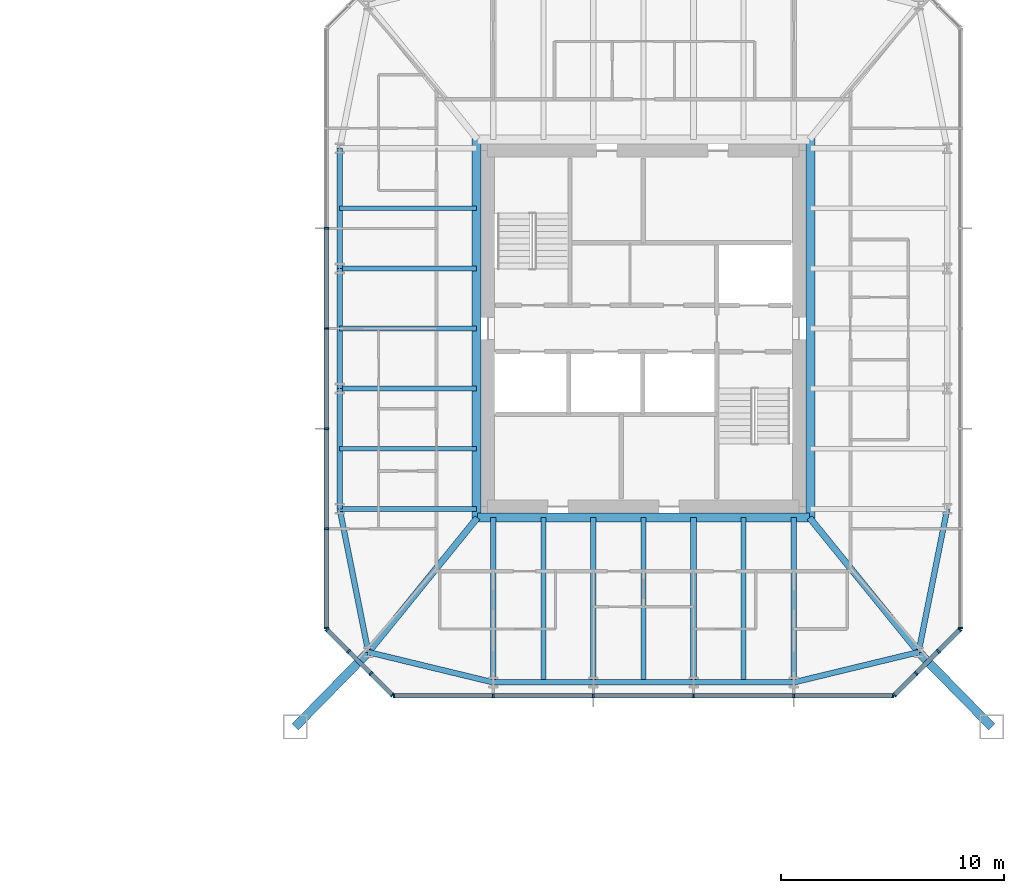
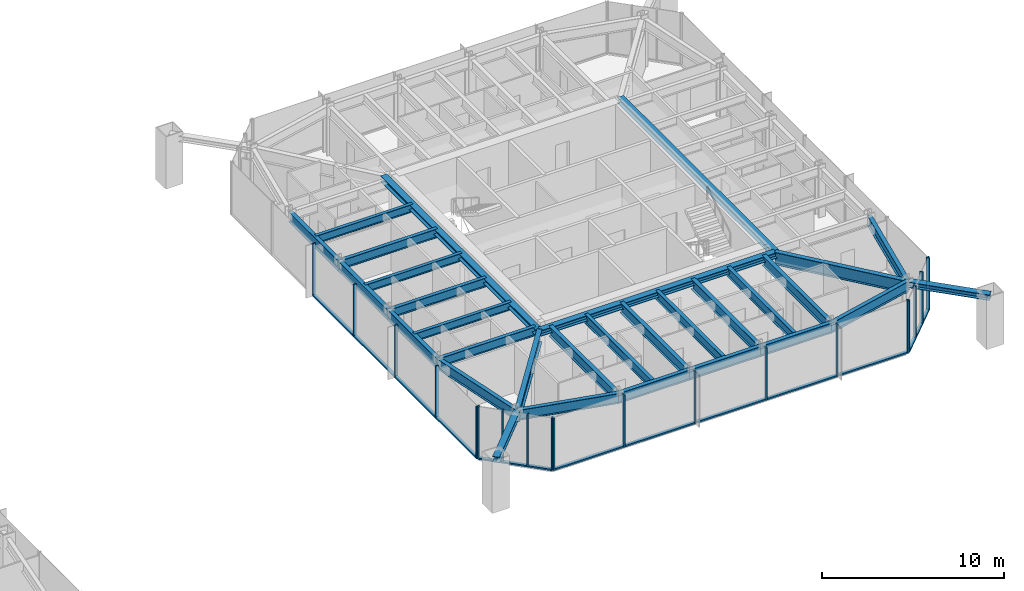
# One storey, part 8 of 25: 37 members, 28 beams, 5 elements without a shape of their own.
"""IFC4 building model written with IfcOpenShell, lengths in metres."""

import ifcopenshell
import ifcopenshell.guid

model = None  # the IFC model being written
_history = None  # IfcOwnerHistory: only IFC2X3 demands one
_inside = {}  # id of a spatial element -> (the spatial element, [elements in it])
_under = {}  # id of a project, library or spatial element -> (it, [spatial elements below it])
_declared = {}  # id of a project -> (the project, [libraries it declares])
_typed = {}  # id of a type object -> (the type object, [elements of that type])
_made_of = {}  # id of a material, layer set ... -> (it, [elements and type objects made of it])


def new_model(schema):
    """Start an empty IFC model of exactly this schema.

    Asked for "IFC4X3", IfcOpenShell would pick the latest addendum, in which some entities
    have other attributes; the version numbers below select the first issue.
    IFC2X3 requires an IfcOwnerHistory on every rooted entity: one is made here for all.
    """
    global model, _history
    if schema == "IFC4X3":
        model = ifcopenshell.file(schema_version=(4, 3, 0, 0))
    else:
        model = ifcopenshell.file(schema=schema)
    _inside.clear()
    _under.clear()
    _declared.clear()
    _typed.clear()
    _made_of.clear()
    _history = None
    if model.schema == "IFC2X3":
        org = make("IfcOrganization", Name="unknown")
        user = make(
            "IfcPersonAndOrganization",
            ThePerson=make("IfcPerson", FamilyName="unknown"),
            TheOrganization=org,
        )
        app = make(
            "IfcApplication",
            ApplicationDeveloper=org,
            Version="unknown",
            ApplicationFullName="unknown",
            ApplicationIdentifier="unknown",
        )
        _history = make(
            "IfcOwnerHistory",
            OwningUser=user,
            OwningApplication=app,
            ChangeAction="ADDED",
            CreationDate=0,
        )
    return model


def make(cls, **values):
    """One entity of the class cls with the attributes given. An attribute that is None is left unset."""
    return model.create_entity(
        cls, **{name: value for name, value in values.items() if value is not None}
    )


def rooted(cls, **values):
    """An entity with a GlobalId (a new one), such as an element, a storey or a relation."""
    return make(cls, GlobalId=ifcopenshell.guid.new(), OwnerHistory=_history, **values)


def si_unit(unit_type, name, prefix=None):
    """IfcSIUnit, for example si_unit("LENGTHUNIT", "METRE", prefix="MILLI")."""
    return make("IfcSIUnit", UnitType=unit_type, Prefix=prefix, Name=name)


def assignment(units):
    """IfcUnitAssignment: the units of a project."""
    return None if units is None else make("IfcUnitAssignment", Units=units)


def point(xyz):
    """IfcCartesianPoint."""
    return None if xyz is None else make("IfcCartesianPoint", Coordinates=xyz)


def direction(xyz):
    """IfcDirection."""
    return None if xyz is None else make("IfcDirection", DirectionRatios=xyz)


def frame(location, z_axis=None, x_axis=None):
    """IfcAxis2Placement3D, a coordinate frame: its origin and axes. An axis left out is left unset."""
    return make(
        "IfcAxis2Placement3D",
        Location=point(location),
        Axis=direction(z_axis),
        RefDirection=direction(x_axis),
    )


def frame_2d(location, x_axis=None):
    """IfcAxis2Placement2D, a coordinate frame in the plane: its origin and x axis."""
    return make(
        "IfcAxis2Placement2D", Location=point(location), RefDirection=direction(x_axis)
    )


def origin():
    """The frame at (0, 0, 0) with its axes left unset."""
    return frame((0.0, 0.0, 0.0))


def origin_2d():
    """The frame at (0, 0) in the plane with its x axis left unset."""
    return frame_2d((0.0, 0.0))


def place(relative_to, where):
    """IfcLocalPlacement: puts the frame where relative to a parent placement (None: the world)."""
    return make(
        "IfcLocalPlacement", PlacementRelTo=relative_to, RelativePlacement=where
    )


def context(
    kind, dimensions, precision=None, world=None, true_north=None, identifier=None
):
    """IfcGeometricRepresentationContext, for example the 3D "Model" context."""
    return make(
        "IfcGeometricRepresentationContext",
        ContextIdentifier=identifier,
        ContextType=kind,
        CoordinateSpaceDimension=dimensions,
        Precision=precision,
        WorldCoordinateSystem=world,
        TrueNorth=true_north,
    )


def subcontext(parent, identifier, kind, view, scale=None):
    """IfcGeometricRepresentationSubContext, for example "Body" below "Model"."""
    return make(
        "IfcGeometricRepresentationSubContext",
        ContextIdentifier=identifier,
        ContextType=kind,
        ParentContext=parent,
        TargetScale=scale,
        TargetView=view,
    )


def project(units=None, contexts=None):
    """IfcProject with its units and contexts."""
    return rooted(
        "IfcProject",
        Name="project",
        RepresentationContexts=contexts,
        UnitsInContext=assignment(units),
    )


def spatial(cls, under=None, at=None, **own):
    """A site, building, storey or space (cls), placed at a placement, below another one or the project."""
    s = rooted(cls, ObjectPlacement=at, **own)
    if under is not None:
        _under.setdefault(under.id(), (under, []))[1].append(s)
    return s


def profile(cls, at=None, kind="AREA", **sizes):
    """A parametric profile (cls). Its sizes go by their IFC names, for example OverallWidth=200.0."""
    return make(cls, ProfileType=kind, Position=at, **sizes)


def rectangle(**sizes):
    """IfcRectangleProfileDef."""
    return profile("IfcRectangleProfileDef", **sizes)


def i_section(**sizes):
    """IfcIShapeProfileDef."""
    return profile("IfcIShapeProfileDef", **sizes)


def extrude(swept, where, along, depth):
    """IfcExtrudedAreaSolid: the profile swept, set in the frame where, extruded along a direction by depth."""
    return make(
        "IfcExtrudedAreaSolid",
        SweptArea=swept,
        Position=where,
        ExtrudedDirection=direction(along),
        Depth=depth,
    )


def shape(context_of_items, identifier, shape_type, items):
    """IfcShapeRepresentation: the items that make up one representation, for example the "Body"."""
    return make(
        "IfcShapeRepresentation",
        ContextOfItems=context_of_items,
        RepresentationIdentifier=identifier,
        RepresentationType=shape_type,
        Items=items,
    )


def material(Name=None, Category=None):
    """IfcMaterial."""
    return make("IfcMaterial", Name=Name, Category=Category)


def material_profile(
    of_material, cross_section, Name=None, Category=None, Priority=None
):
    """IfcMaterialProfile: a cross section and its material."""
    return make(
        "IfcMaterialProfile",
        Name=Name,
        Material=of_material,
        Profile=cross_section,
        Priority=Priority,
        Category=Category,
    )


def profile_set(profiles, Name=None, composite=None):
    """IfcMaterialProfileSet."""
    return make(
        "IfcMaterialProfileSet",
        Name=Name,
        MaterialProfiles=profiles,
        CompositeProfile=composite,
    )


def made_of(thing, what):
    """Note that an element or type object is made of a material, layer set ...; save() writes the relation."""
    if what is not None:
        _made_of.setdefault(what.id(), (what, []))[1].append(thing)
    return thing


def type_object(cls, material=None, **own):
    """A type object (cls), such as IfcWallType, which elements share."""
    return made_of(rooted(cls, **own), material)


def element(
    cls,
    number,
    at=None,
    inside=None,
    cuts=None,
    type_object=None,
    material=None,
    context=None,
    identifier="Body",
    shape_type=None,
    held_by="IfcProductDefinitionShape",
    body=None,
    shapes=None,
    **own,
):
    """One element of the class cls, such as IfcWall. Its Tag is "e" and its number.

    at: its placement. inside: the storey or other place that contains it. cuts: it is an
    opening in that element (IfcRelVoidsElement). A single representation is given by context,
    identifier, shape_type and body (its items); several are given by shapes. held_by: the class
    of the entity that holds the representations. save() writes the other relations.
    """
    e = rooted(cls, Tag="e%d" % number, ObjectPlacement=at, **own)
    if body is not None:
        shapes = [shape(context, identifier, shape_type, body)]
    if shapes is not None:
        e.Representation = make(held_by, Representations=shapes)
    if inside is not None:
        _inside.setdefault(inside.id(), (inside, []))[1].append(e)
    if cuts is not None:
        rooted(
            "IfcRelVoidsElement", RelatingBuildingElement=cuts, RelatedOpeningElement=e
        )
    if type_object is not None:
        _typed.setdefault(type_object.id(), (type_object, []))[1].append(e)
    return made_of(e, material)


def aggregate(whole, parts):
    """IfcRelAggregates: a whole, such as a stair, and the parts it consists of."""
    return rooted("IfcRelAggregates", RelatingObject=whole, RelatedObjects=parts)


def save(model, path):
    """Write the relations noted so far, then the file.

    IfcRelAggregates (storeys below a building ...), IfcRelContainedInSpatialStructure (elements
    in a storey), IfcRelDefinesByType, IfcRelAssociatesMaterial and IfcRelDeclares: one each for
    every whole, place, type object, material and project.
    """
    for whole, parts in _under.values():
        aggregate(whole, parts)
    for where, things in _inside.values():
        rooted(
            "IfcRelContainedInSpatialStructure",
            RelatedElements=things,
            RelatingStructure=where,
        )
    for kind, things in _typed.values():
        rooted("IfcRelDefinesByType", RelatedObjects=things, RelatingType=kind)
    for what, things in _made_of.values():
        rooted("IfcRelAssociatesMaterial", RelatedObjects=things, RelatingMaterial=what)
    for by, libraries in _declared.values():
        rooted("IfcRelDeclares", RelatingContext=by, RelatedDefinitions=libraries)
    model.write(path)


model = new_model("IFC4")

# Units and contexts
model_context = context("Model", 3, precision=1e-05, world=origin(), true_north=direction((0.0, 1.0)))
body_context = subcontext(model_context, "Body", "Model", "MODEL_VIEW")
ifc_project = project(units=[si_unit("LENGTHUNIT", "METRE"), si_unit("AREAUNIT", "SQUARE_METRE"), si_unit("VOLUMEUNIT", "CUBIC_METRE"), si_unit("PLANEANGLEUNIT", "RADIAN"), si_unit("MASSUNIT", "GRAM", prefix="KILO")], contexts=[model_context])

# Site, building, storey
site_placement = place(None, origin())
site = spatial("IfcSite", under=ifc_project, at=site_placement, CompositionType="ELEMENT")
building_placement = place(site_placement, origin())
building = spatial("IfcBuilding", under=site, at=building_placement, Name="Iwan Alto Co-Living Towers", CompositionType="ELEMENT")
storey_placement = place(building_placement, frame((0.0, 0.0, 84.0)))
storey = spatial("IfcBuildingStorey", under=building, at=storey_placement, Name="L22", CompositionType="ELEMENT", Elevation=84.0)

# Curtain wall, members
ifc_material_1 = material(Name="Bronze aluminium unitised frame", Category="aluminium")
curtain_wall_type_1 = type_object("IfcCurtainWallType", Name="CURTAIN WALL CW-C", PredefinedType="NOTDEFINED", material=ifc_material_1)
curtain_wall_1_placement = place(storey_placement, origin())
curtain_wall_1 = element("IfcCurtainWall", 1, at=curtain_wall_1_placement, inside=storey, type_object=curtain_wall_type_1, Name="T2 curtain wall S L22", PredefinedType="NOTDEFINED")
ifc_material_2 = material(Name="Aluminium 6063-T6 bronze anodised", Category="aluminium")
ifc_material_profile_1 = material_profile(ifc_material_2, rectangle(XDim=0.199951171875, YDim=0.080078125, at=origin_2d()), Name="AL 80X200")
ifc_profile_set_1 = profile_set([ifc_material_profile_1], Name="Aluminium 6063-T6 bronze anodised")
member_type_1 = type_object("IfcMemberType", Name="CW-C MULLION 80X200", PredefinedType="MULLION", material=ifc_profile_set_1)
member_1_placement = place(storey_placement, frame((51.7900390625, -16.5, 0.0), z_axis=(0.0, 0.0, 1.0), x_axis=(0.0, 1.0, 0.0)))
member_1 = element("IfcMember", 2, at=member_1_placement, type_object=member_type_1, Name="CW-C mullion 1", PredefinedType="MULLION", context=body_context, shape_type="SweptSolid", body=[
    extrude(rectangle(XDim=0.199951171875, YDim=0.080078125, at=origin_2d()), origin(), (0.0, 0.0, 1.0), 3.5),
])
member_2_placement = place(storey_placement, frame((56.25, -16.5, 0.0), z_axis=(0.0, 0.0, 1.0), x_axis=(0.0, 1.0, 0.0)))
member_2 = element("IfcMember", 3, at=member_2_placement, type_object=member_type_1, Name="CW-C mullion 2", PredefinedType="MULLION", context=body_context, shape_type="SweptSolid", body=[
    extrude(rectangle(XDim=0.199951171875, YDim=0.080078125, at=origin_2d()), origin(), (0.0, 0.0, 1.0), 3.5),
])
member_3_placement = place(storey_placement, frame((60.75, -16.5, 0.0), z_axis=(0.0, 0.0, 1.0), x_axis=(0.0, 1.0, 0.0)))
member_3 = element("IfcMember", 4, at=member_3_placement, type_object=member_type_1, Name="CW-C mullion 3", PredefinedType="MULLION", context=body_context, shape_type="SweptSolid", body=[
    extrude(rectangle(XDim=0.199951171875, YDim=0.080078125, at=origin_2d()), origin(), (0.0, 0.0, 1.0), 3.5),
])
member_4_placement = place(storey_placement, frame((65.25, -16.5, 0.0), z_axis=(0.0, 0.0, 1.0), x_axis=(0.0, 1.0, 0.0)))
member_4 = element("IfcMember", 5, at=member_4_placement, type_object=member_type_1, Name="CW-C mullion 4", PredefinedType="MULLION", context=body_context, shape_type="SweptSolid", body=[
    extrude(rectangle(XDim=0.199951171875, YDim=0.080078125, at=origin_2d()), origin(), (0.0, 0.0, 1.0), 3.5),
])
member_5_placement = place(storey_placement, frame((69.75, -16.5, 0.0), z_axis=(0.0, 0.0, 1.0), x_axis=(0.0, 1.0, 0.0)))
member_5 = element("IfcMember", 6, at=member_5_placement, type_object=member_type_1, Name="CW-C mullion 5", PredefinedType="MULLION", context=body_context, shape_type="SweptSolid", body=[
    extrude(rectangle(XDim=0.199951171875, YDim=0.080078125, at=origin_2d()), origin(), (0.0, 0.0, 1.0), 3.5),
])
member_6_placement = place(storey_placement, frame((74.2099609375, -16.5, 0.0), z_axis=(0.0, 0.0, 1.0), x_axis=(0.0, 1.0, 0.0)))
member_6 = element("IfcMember", 7, at=member_6_placement, type_object=member_type_1, Name="CW-C mullion 6", PredefinedType="MULLION", context=body_context, shape_type="SweptSolid", body=[
    extrude(rectangle(XDim=0.199951171875, YDim=0.080078125, at=origin_2d()), origin(), (0.0, 0.0, 1.0), 3.5),
])

# Curtain wall, member
curtain_wall_2_placement = place(storey_placement, origin())
curtain_wall_2 = element("IfcCurtainWall", 8, at=curtain_wall_2_placement, inside=storey, type_object=curtain_wall_type_1, Name="T2 curtain wall E L22", PredefinedType="NOTDEFINED")
member_7_placement = place(storey_placement, frame((77.25, -13.4599609375, 0.0), z_axis=(0.0, 0.0, 1.0), x_axis=(-1.0, 0.0, 0.0)))
member_7 = element("IfcMember", 9, at=member_7_placement, type_object=member_type_1, Name="CW-C mullion 1", PredefinedType="MULLION", context=body_context, shape_type="SweptSolid", body=[
    extrude(rectangle(XDim=0.199951171875, YDim=0.080078125, at=origin_2d()), origin(), (0.0, 0.0, 1.0), 3.5),
])
aggregate(curtain_wall_2, [member_7])

# Curtain wall, members
curtain_wall_3_placement = place(storey_placement, origin())
curtain_wall_3 = element("IfcCurtainWall", 10, at=curtain_wall_3_placement, inside=storey, type_object=curtain_wall_type_1, Name="T2 curtain wall W L22", PredefinedType="NOTDEFINED")
member_8_placement = place(storey_placement, frame((48.75, 4.5, 0.0), z_axis=(0.0, 0.0, 1.0), x_axis=(1.0, 0.0, 0.0)))
member_8 = element("IfcMember", 11, at=member_8_placement, type_object=member_type_1, Name="CW-C mullion 3", PredefinedType="MULLION", context=body_context, shape_type="SweptSolid", body=[
    extrude(rectangle(XDim=0.199951171875, YDim=0.080078125, at=origin_2d()), origin(), (0.0, 0.0, 1.0), 3.5),
])
member_9_placement = place(storey_placement, frame((48.75, 0.0, 0.0), z_axis=(0.0, 0.0, 1.0), x_axis=(1.0, 0.0, 0.0)))
member_9 = element("IfcMember", 12, at=member_9_placement, type_object=member_type_1, Name="CW-C mullion 4", PredefinedType="MULLION", context=body_context, shape_type="SweptSolid", body=[
    extrude(rectangle(XDim=0.199951171875, YDim=0.080078125, at=origin_2d()), origin(), (0.0, 0.0, 1.0), 3.5),
])
member_10_placement = place(storey_placement, frame((48.75, -4.5, 0.0), z_axis=(0.0, 0.0, 1.0), x_axis=(1.0, 0.0, 0.0)))
member_10 = element("IfcMember", 13, at=member_10_placement, type_object=member_type_1, Name="CW-C mullion 5", PredefinedType="MULLION", context=body_context, shape_type="SweptSolid", body=[
    extrude(rectangle(XDim=0.199951171875, YDim=0.080078125, at=origin_2d()), origin(), (0.0, 0.0, 1.0), 3.5),
])
member_11_placement = place(storey_placement, frame((48.75, -9.0, 0.0), z_axis=(0.0, 0.0, 1.0), x_axis=(1.0, 0.0, 0.0)))
member_11 = element("IfcMember", 14, at=member_11_placement, type_object=member_type_1, Name="CW-C mullion 6", PredefinedType="MULLION", context=body_context, shape_type="SweptSolid", body=[
    extrude(rectangle(XDim=0.199951171875, YDim=0.080078125, at=origin_2d()), origin(), (0.0, 0.0, 1.0), 3.5),
])
member_12_placement = place(storey_placement, frame((48.75, -13.4599609375, 0.0), z_axis=(0.0, 0.0, 1.0), x_axis=(1.0, 0.0, 0.0)))
member_12 = element("IfcMember", 15, at=member_12_placement, type_object=member_type_1, Name="CW-C mullion 7", PredefinedType="MULLION", context=body_context, shape_type="SweptSolid", body=[
    extrude(rectangle(XDim=0.199951171875, YDim=0.080078125, at=origin_2d()), origin(), (0.0, 0.0, 1.0), 3.5),
])

# Member
ifc_material_3 = material(Name="Aluminium 6063-T6 bronze anodised", Category="aluminium")
ifc_material_profile_2 = material_profile(ifc_material_3, rectangle(XDim=0.199951171875, YDim=0.10009765625, at=origin_2d()), Name="AL 200X100")
ifc_profile_set_2 = profile_set([ifc_material_profile_2], Name="Aluminium 6063-T6 bronze anodised")
member_type_2 = type_object("IfcMemberType", Name="CW-C TRANSOM 200X100", PredefinedType="USERDEFINED", material=ifc_profile_set_2)
member_13_placement = place(storey_placement, frame((51.830078125, -16.5, 0.050048828125), z_axis=(1.0, 0.0, 0.0), x_axis=(0.0, 1.0, 0.0)))
member_13 = element("IfcMember", 16, at=member_13_placement, type_object=member_type_2, Name="CW-C transom 1.1", ObjectType="TRANSOM", PredefinedType="USERDEFINED", context=body_context, shape_type="SweptSolid", body=[
    extrude(rectangle(XDim=0.199951171875, YDim=0.10009765625, at=origin_2d()), origin(), (0.0, 0.0, 1.0), 4.3798828125),
])

member_14_placement = place(storey_placement, frame((56.2900390625, -16.5, 0.050048828125), z_axis=(1.0, 0.0, 0.0), x_axis=(0.0, 1.0, 0.0)))
member_14 = element("IfcMember", 17, at=member_14_placement, type_object=member_type_2, Name="CW-C transom 2.1", ObjectType="TRANSOM", PredefinedType="USERDEFINED", context=body_context, shape_type="SweptSolid", body=[
    extrude(rectangle(XDim=0.199951171875, YDim=0.10009765625, at=origin_2d()), origin(), (0.0, 0.0, 1.0), 4.419921875),
])

member_15_placement = place(storey_placement, frame((60.7900390625, -16.5, 0.050048828125), z_axis=(1.0, 0.0, 0.0), x_axis=(0.0, 1.0, 0.0)))
member_15 = element("IfcMember", 18, at=member_15_placement, type_object=member_type_2, Name="CW-C transom 3.1", ObjectType="TRANSOM", PredefinedType="USERDEFINED", context=body_context, shape_type="SweptSolid", body=[
    extrude(rectangle(XDim=0.199951171875, YDim=0.10009765625, at=origin_2d()), origin(), (0.0, 0.0, 1.0), 4.419921875),
])

member_16_placement = place(storey_placement, frame((65.2900390625, -16.5, 0.050048828125), z_axis=(1.0, 0.0, 0.0), x_axis=(0.0, 1.0, 0.0)))
member_16 = element("IfcMember", 19, at=member_16_placement, type_object=member_type_2, Name="CW-C transom 4.1", ObjectType="TRANSOM", PredefinedType="USERDEFINED", context=body_context, shape_type="SweptSolid", body=[
    extrude(rectangle(XDim=0.199951171875, YDim=0.10009765625, at=origin_2d()), origin(), (0.0, 0.0, 1.0), 4.419921875),
])

member_17_placement = place(storey_placement, frame((69.7900390625, -16.5, 0.050048828125), z_axis=(1.0, 0.0, 0.0), x_axis=(0.0, 1.0, 0.0)))
member_17 = element("IfcMember", 20, at=member_17_placement, type_object=member_type_2, Name="CW-C transom 5.1", ObjectType="TRANSOM", PredefinedType="USERDEFINED", context=body_context, shape_type="SweptSolid", body=[
    extrude(rectangle(XDim=0.199951171875, YDim=0.10009765625, at=origin_2d()), origin(), (0.0, 0.0, 1.0), 4.3798828125),
])

aggregate(curtain_wall_1, [member_1, member_2, member_3, member_4, member_5, member_6, member_13, member_14, member_15, member_16, member_17])

member_18_placement = place(storey_placement, frame((48.75, 4.4599609375, 0.050048828125), z_axis=(0.0, -1.0, 0.0), x_axis=(1.0, 0.0, 0.0)))
member_18 = element("IfcMember", 21, at=member_18_placement, type_object=member_type_2, Name="CW-C transom 3.1", ObjectType="TRANSOM", PredefinedType="USERDEFINED", context=body_context, shape_type="SweptSolid", body=[
    extrude(rectangle(XDim=0.199951171875, YDim=0.10009765625, at=origin_2d()), origin(), (0.0, 0.0, 1.0), 4.419921875),
])

member_19_placement = place(storey_placement, frame((48.75, -0.0400390625, 0.050048828125), z_axis=(0.0, -1.0, 0.0), x_axis=(1.0, 0.0, 0.0)))
member_19 = element("IfcMember", 22, at=member_19_placement, type_object=member_type_2, Name="CW-C transom 4.1", ObjectType="TRANSOM", PredefinedType="USERDEFINED", context=body_context, shape_type="SweptSolid", body=[
    extrude(rectangle(XDim=0.199951171875, YDim=0.10009765625, at=origin_2d()), origin(), (0.0, 0.0, 1.0), 4.419921875),
])

member_20_placement = place(storey_placement, frame((48.75, -4.5400390625, 0.050048828125), z_axis=(0.0, -1.0, 0.0), x_axis=(1.0, 0.0, 0.0)))
member_20 = element("IfcMember", 23, at=member_20_placement, type_object=member_type_2, Name="CW-C transom 5.1", ObjectType="TRANSOM", PredefinedType="USERDEFINED", context=body_context, shape_type="SweptSolid", body=[
    extrude(rectangle(XDim=0.199951171875, YDim=0.10009765625, at=origin_2d()), origin(), (0.0, 0.0, 1.0), 4.419921875),
])

member_21_placement = place(storey_placement, frame((48.75, -9.0400390625, 0.050048828125), z_axis=(0.0, -1.0, 0.0), x_axis=(1.0, 0.0, 0.0)))
member_21 = element("IfcMember", 24, at=member_21_placement, type_object=member_type_2, Name="CW-C transom 6.1", ObjectType="TRANSOM", PredefinedType="USERDEFINED", context=body_context, shape_type="SweptSolid", body=[
    extrude(rectangle(XDim=0.199951171875, YDim=0.10009765625, at=origin_2d()), origin(), (0.0, 0.0, 1.0), 4.3798828125),
])

aggregate(curtain_wall_3, [member_8, member_9, member_10, member_11, member_12, member_18, member_19, member_20, member_21])

# Curtain wall, members
ifc_material_4 = material(Name="Bronze aluminium unitised frame", Category="aluminium")
curtain_wall_type_2 = type_object("IfcCurtainWallType", Name="CURTAIN WALL CW-D", PredefinedType="NOTDEFINED", material=ifc_material_4)
curtain_wall_4_placement = place(storey_placement, origin())
curtain_wall_4 = element("IfcCurtainWall", 25, at=curtain_wall_4_placement, inside=storey, type_object=curtain_wall_type_2, Name="T2 chamfer curtain wall SE L22", PredefinedType="NOTDEFINED")
ifc_material_5 = material(Name="Aluminium 6063-T6 bronze anodised", Category="aluminium")
ifc_material_profile_3 = material_profile(ifc_material_5, rectangle(XDim=0.199951171875, YDim=0.080078125, at=origin_2d()), Name="AL 80X200")
ifc_profile_set_3 = profile_set([ifc_material_profile_3], Name="Aluminium 6063-T6 bronze anodised")
member_type_3 = type_object("IfcMemberType", Name="CW-D MULLION 80X200", PredefinedType="MULLION", material=ifc_profile_set_3)
member_22_placement = place(storey_placement, frame((74.2783203125, -16.4716796875, 0.0), z_axis=(0.0, 0.0, 1.0), x_axis=(-0.707106781187, 0.707106781187, 0.0)))
member_22 = element("IfcMember", 26, at=member_22_placement, type_object=member_type_3, Name="CW-D mullion 1", PredefinedType="MULLION", context=body_context, shape_type="SweptSolid", body=[
    extrude(rectangle(XDim=0.199951171875, YDim=0.080078125, at=origin_2d()), origin(), (0.0, 0.0, 1.0), 3.5),
])
member_23_placement = place(storey_placement, frame((75.25, -15.5, 0.0), z_axis=(0.0, 0.0, 1.0), x_axis=(-0.707106781187, 0.707106781187, 0.0)))
member_23 = element("IfcMember", 27, at=member_23_placement, type_object=member_type_3, Name="CW-D mullion 2", PredefinedType="MULLION", context=body_context, shape_type="SweptSolid", body=[
    extrude(rectangle(XDim=0.199951171875, YDim=0.080078125, at=origin_2d()), origin(), (0.0, 0.0, 1.0), 3.5),
])
member_24_placement = place(storey_placement, frame((76.25, -14.5, 0.0), z_axis=(0.0, 0.0, 1.0), x_axis=(-0.707106781187, 0.707106781187, 0.0)))
member_24 = element("IfcMember", 28, at=member_24_placement, type_object=member_type_3, Name="CW-D mullion 3", PredefinedType="MULLION", context=body_context, shape_type="SweptSolid", body=[
    extrude(rectangle(XDim=0.199951171875, YDim=0.080078125, at=origin_2d()), origin(), (0.0, 0.0, 1.0), 3.5),
])
member_25_placement = place(storey_placement, frame((77.2216796875, -13.5283203125, 0.0), z_axis=(0.0, 0.0, 1.0), x_axis=(-0.707106781187, 0.707106781187, 0.0)))
member_25 = element("IfcMember", 29, at=member_25_placement, type_object=member_type_3, Name="CW-D mullion 4", PredefinedType="MULLION", context=body_context, shape_type="SweptSolid", body=[
    extrude(rectangle(XDim=0.199951171875, YDim=0.080078125, at=origin_2d()), origin(), (0.0, 0.0, 1.0), 3.5),
])

curtain_wall_5_placement = place(storey_placement, origin())
curtain_wall_5 = element("IfcCurtainWall", 30, at=curtain_wall_5_placement, inside=storey, type_object=curtain_wall_type_2, Name="T2 chamfer curtain wall SW L22", PredefinedType="NOTDEFINED")
member_26_placement = place(storey_placement, frame((48.7783203125, -13.5283203125, 0.0), z_axis=(0.0, 0.0, 1.0), x_axis=(0.707106781187, 0.707106781187, 0.0)))
member_26 = element("IfcMember", 31, at=member_26_placement, type_object=member_type_3, Name="CW-D mullion 1", PredefinedType="MULLION", context=body_context, shape_type="SweptSolid", body=[
    extrude(rectangle(XDim=0.199951171875, YDim=0.080078125, at=origin_2d()), origin(), (0.0, 0.0, 1.0), 3.5),
])
member_27_placement = place(storey_placement, frame((49.75, -14.5, 0.0), z_axis=(0.0, 0.0, 1.0), x_axis=(0.707106781187, 0.707106781187, 0.0)))
member_27 = element("IfcMember", 32, at=member_27_placement, type_object=member_type_3, Name="CW-D mullion 2", PredefinedType="MULLION", context=body_context, shape_type="SweptSolid", body=[
    extrude(rectangle(XDim=0.199951171875, YDim=0.080078125, at=origin_2d()), origin(), (0.0, 0.0, 1.0), 3.5),
])
member_28_placement = place(storey_placement, frame((50.75, -15.5, 0.0), z_axis=(0.0, 0.0, 1.0), x_axis=(0.707106781187, 0.707106781187, 0.0)))
member_28 = element("IfcMember", 33, at=member_28_placement, type_object=member_type_3, Name="CW-D mullion 3", PredefinedType="MULLION", context=body_context, shape_type="SweptSolid", body=[
    extrude(rectangle(XDim=0.199951171875, YDim=0.080078125, at=origin_2d()), origin(), (0.0, 0.0, 1.0), 3.5),
])
member_29_placement = place(storey_placement, frame((51.7216796875, -16.4716796875, 0.0), z_axis=(0.0, 0.0, 1.0), x_axis=(0.707106781187, 0.707106781187, 0.0)))
member_29 = element("IfcMember", 34, at=member_29_placement, type_object=member_type_3, Name="CW-D mullion 4", PredefinedType="MULLION", context=body_context, shape_type="SweptSolid", body=[
    extrude(rectangle(XDim=0.199951171875, YDim=0.080078125, at=origin_2d()), origin(), (0.0, 0.0, 1.0), 3.5),
])

# Member
ifc_material_6 = material(Name="Aluminium 6063-T6 bronze anodised", Category="aluminium")
ifc_material_profile_4 = material_profile(ifc_material_6, rectangle(XDim=0.199951171875, YDim=0.10009765625, at=origin_2d()), Name="AL 200X100")
ifc_profile_set_4 = profile_set([ifc_material_profile_4], Name="Aluminium 6063-T6 bronze anodised")
member_type_4 = type_object("IfcMemberType", Name="CW-D TRANSOM 200X100", PredefinedType="USERDEFINED", material=ifc_profile_set_4)
member_30_placement = place(storey_placement, frame((74.306640625, -16.443359375, 0.050048828125), z_axis=(0.707106781187, 0.707106781187, 0.0), x_axis=(-0.707106781187, 0.707106781187, 0.0)))
member_30 = element("IfcMember", 35, at=member_30_placement, type_object=member_type_4, Name="CW-D transom 1.1", ObjectType="TRANSOM", PredefinedType="USERDEFINED", context=body_context, shape_type="SweptSolid", body=[
    extrude(rectangle(XDim=0.199951171875, YDim=0.10009765625, at=origin_2d()), origin(), (0.0, 0.0, 1.0), 1.2939453125),
])

member_31_placement = place(storey_placement, frame((75.2783203125, -15.4716796875, 0.050048828125), z_axis=(0.707106781187, 0.707106781187, 0.0), x_axis=(-0.707106781187, 0.707106781187, 0.0)))
member_31 = element("IfcMember", 36, at=member_31_placement, type_object=member_type_4, Name="CW-D transom 2.1", ObjectType="TRANSOM", PredefinedType="USERDEFINED", context=body_context, shape_type="SweptSolid", body=[
    extrude(rectangle(XDim=0.199951171875, YDim=0.10009765625, at=origin_2d()), origin(), (0.0, 0.0, 1.0), 1.334228515625),
])

member_32_placement = place(storey_placement, frame((76.2783203125, -14.4716796875, 0.050048828125), z_axis=(0.707106781187, 0.707106781187, 0.0), x_axis=(-0.707106781187, 0.707106781187, 0.0)))
member_32 = element("IfcMember", 37, at=member_32_placement, type_object=member_type_4, Name="CW-D transom 3.1", ObjectType="TRANSOM", PredefinedType="USERDEFINED", context=body_context, shape_type="SweptSolid", body=[
    extrude(rectangle(XDim=0.199951171875, YDim=0.10009765625, at=origin_2d()), origin(), (0.0, 0.0, 1.0), 1.2939453125),
])

aggregate(curtain_wall_4, [member_22, member_23, member_24, member_25, member_30, member_31, member_32])

member_33_placement = place(storey_placement, frame((48.806640625, -13.556640625, 0.050048828125), z_axis=(0.707106781187, -0.707106781187, 0.0), x_axis=(0.707106781187, 0.707106781187, 0.0)))
member_33 = element("IfcMember", 38, at=member_33_placement, type_object=member_type_4, Name="CW-D transom 1.1", ObjectType="TRANSOM", PredefinedType="USERDEFINED", context=body_context, shape_type="SweptSolid", body=[
    extrude(rectangle(XDim=0.199951171875, YDim=0.10009765625, at=origin_2d()), origin(), (0.0, 0.0, 1.0), 1.2939453125),
])

member_34_placement = place(storey_placement, frame((49.7783203125, -14.5283203125, 0.050048828125), z_axis=(0.707106781187, -0.707106781187, 0.0), x_axis=(0.707106781187, 0.707106781187, 0.0)))
member_34 = element("IfcMember", 39, at=member_34_placement, type_object=member_type_4, Name="CW-D transom 2.1", ObjectType="TRANSOM", PredefinedType="USERDEFINED", context=body_context, shape_type="SweptSolid", body=[
    extrude(rectangle(XDim=0.199951171875, YDim=0.10009765625, at=origin_2d()), origin(), (0.0, 0.0, 1.0), 1.334228515625),
])

member_35_placement = place(storey_placement, frame((50.7783203125, -15.5283203125, 0.050048828125), z_axis=(0.707106781187, -0.707106781187, 0.0), x_axis=(0.707106781187, 0.707106781187, 0.0)))
member_35 = element("IfcMember", 40, at=member_35_placement, type_object=member_type_4, Name="CW-D transom 3.1", ObjectType="TRANSOM", PredefinedType="USERDEFINED", context=body_context, shape_type="SweptSolid", body=[
    extrude(rectangle(XDim=0.199951171875, YDim=0.10009765625, at=origin_2d()), origin(), (0.0, 0.0, 1.0), 1.2939453125),
])

aggregate(curtain_wall_5, [member_26, member_27, member_28, member_29, member_33, member_34, member_35])

# Beams
ifc_material_7 = material(Name="Steel ASTM A992 Gr 50", Category="steel")
ifc_material_profile_5 = material_profile(ifc_material_7, i_section(OverallWidth=0.398681640625, OverallDepth=0.385986328125, WebThickness=0.02099609375, FlangeThickness=0.033203125, at=origin_2d()), Name="W14X176")
ifc_profile_set_5 = profile_set([ifc_material_profile_5], Name="Steel ASTM A992 Gr 50")
beam_type_1 = type_object("IfcBeamType", Name="T2 CORE LEDGER BEAM W14X176", PredefinedType="BEAM", material=ifc_profile_set_5)
beam_1_placement = place(storey_placement, frame((55.538330078125, -8.49951171875, 3.076904296875), z_axis=(1.0, 0.0, 0.0), x_axis=(0.0, 1.0, 0.0)))
element("IfcBeam", 41, at=beam_1_placement, inside=storey, type_object=beam_type_1, Name="T2 core ledger beam S L23", PredefinedType="BEAM", context=body_context, shape_type="SweptSolid", body=[
    extrude(i_section(OverallWidth=0.398681640625, OverallDepth=0.385986328125, WebThickness=0.02099609375, FlangeThickness=0.033203125, at=origin_2d()), origin(), (0.0, 0.0, 1.0), 14.92333984375),
])
for number, where, z_axis, x_axis, name in (
    (42, (70.49951171875, -8.5458984375, 3.076904296875), (0.0, 1.0, 0.0), (-1.0, 0.0, 0.0), "T2 core ledger beam E L23"),
    (43, (55.50048828125, 8.5458984375, 3.076904296875), (0.0, -1.0, 0.0), (1.0, 0.0, 0.0), "T2 core ledger beam W L23"),
):
    element("IfcBeam", number, at=place(storey_placement, frame(where, z_axis=z_axis, x_axis=x_axis)), inside=storey, type_object=beam_type_1, Name=name, PredefinedType="BEAM", context=body_context, shape_type="SweptSolid", body=[
        extrude(i_section(OverallWidth=0.398681640625, OverallDepth=0.385986328125, WebThickness=0.02099609375, FlangeThickness=0.033203125, at=origin_2d()), origin(), (0.0, 0.0, 1.0), 17.091796875),
    ])
ifc_material_8 = material(Name="Steel ASTM A992 Gr 50", Category="steel")
ifc_material_profile_6 = material_profile(ifc_material_8, i_section(OverallWidth=0.2919921875, OverallDepth=0.8408203125, WebThickness=0.0146484375, FlangeThickness=0.021728515625, at=origin_2d()), Name="W33X130")
ifc_profile_set_6 = profile_set([ifc_material_profile_6], Name="Steel ASTM A992 Gr 50")
beam_type_2 = type_object("IfcBeamType", Name="T2 CORNER GIRDER W33X130", PredefinedType="BEAM", material=ifc_profile_set_6)
for number, where, z_axis, x_axis, name in (
    (44, (50.638671875, -14.542724609375, 2.849609375), (0.629783024592, 0.776771100091, 0.0), (-0.776771100091, 0.629783024592, 0.0), "T2 corner girder CSW L23"),
    (45, (75.361328125, -14.542724609375, 2.849609375), (-0.629783024592, 0.776771100091, 0.0), (-0.776771100091, -0.629783024592, 0.0), "T2 corner girder CSE L23"),
):
    element("IfcBeam", number, at=place(storey_placement, frame(where, z_axis=z_axis, x_axis=x_axis)), inside=storey, type_object=beam_type_2, Name=name, PredefinedType="BEAM", context=body_context, shape_type="SweptSolid", body=[
        extrude(i_section(OverallWidth=0.2919921875, OverallDepth=0.8408203125, WebThickness=0.0146484375, FlangeThickness=0.021728515625, at=origin_2d()), origin(), (0.0, 0.0, 1.0), 7.780029296875),
    ])
ifc_material_9 = material(Name="Steel ASTM A992 Gr 50", Category="steel")
ifc_material_profile_7 = material_profile(ifc_material_9, i_section(OverallWidth=0.25390625, OverallDepth=0.683349609375, WebThickness=0.012451171875, FlangeThickness=0.018798828125, at=origin_2d()), Name="W27X94")
ifc_profile_set_7 = profile_set([ifc_material_profile_7], Name="Steel ASTM A992 Gr 50")
beam_type_3 = type_object("IfcBeamType", Name="T2 EDGE BEAM W27X94", PredefinedType="BEAM", material=ifc_profile_set_7)
beam_2_placement = place(storey_placement, frame((50.638671875, -14.542724609375, 2.928466796875), z_axis=(0.971974673138, -0.235085590323, 0.0), x_axis=(0.235085590323, 0.971974673138, 0.0)))
element("IfcBeam", 46, at=beam_2_placement, inside=storey, type_object=beam_type_3, Name="T2 edge beam CSW L23", PredefinedType="BEAM", context=body_context, shape_type="SweptSolid", body=[
    extrude(i_section(OverallWidth=0.25390625, OverallDepth=0.683349609375, WebThickness=0.012451171875, FlangeThickness=0.018798828125, at=origin_2d()), origin(), (0.0, 0.0, 1.0), 5.773193359375),
])
for number, where, z_axis, x_axis, name in (
    (47, (56.25, -15.89990234375, 2.928466796875), (1.0, 0.0, 0.0), (0.0, 1.0, 0.0), "T2 edge beam S1 L23"),
    (48, (60.75, -15.89990234375, 2.928466796875), (1.0, 0.0, 0.0), (0.0, 1.0, 0.0), "T2 edge beam S2 L23"),
    (49, (65.25, -15.89990234375, 2.928466796875), (1.0, 0.0, 0.0), (0.0, 1.0, 0.0), "T2 edge beam S3 L23"),
):
    element("IfcBeam", number, at=place(storey_placement, frame(where, z_axis=z_axis, x_axis=x_axis)), inside=storey, type_object=beam_type_3, Name=name, PredefinedType="BEAM", context=body_context, shape_type="SweptSolid", body=[
        extrude(i_section(OverallWidth=0.25390625, OverallDepth=0.683349609375, WebThickness=0.012451171875, FlangeThickness=0.018798828125, at=origin_2d()), origin(), (0.0, 0.0, 1.0), 4.5),
    ])
beam_3_placement = place(storey_placement, frame((69.75, -15.89990234375, 2.928466796875), z_axis=(0.971974673138, 0.235085590323, 0.0), x_axis=(-0.235085590323, 0.971974673138, 0.0)))
element("IfcBeam", 50, at=beam_3_placement, inside=storey, type_object=beam_type_3, Name="T2 edge beam S4 L23", PredefinedType="BEAM", context=body_context, shape_type="SweptSolid", body=[
    extrude(i_section(OverallWidth=0.25390625, OverallDepth=0.683349609375, WebThickness=0.012451171875, FlangeThickness=0.018798828125, at=origin_2d()), origin(), (0.0, 0.0, 1.0), 5.773193359375),
])
beam_4_placement = place(storey_placement, frame((75.361328125, -14.542724609375, 2.928466796875), z_axis=(0.196123281025, 0.980579246487, 0.0), x_axis=(-0.980579246487, 0.196123281025, 0.0)))
element("IfcBeam", 51, at=beam_4_placement, inside=storey, type_object=beam_type_3, Name="T2 edge beam CSE L23", PredefinedType="BEAM", context=body_context, shape_type="SweptSolid", body=[
    extrude(i_section(OverallWidth=0.25390625, OverallDepth=0.683349609375, WebThickness=0.012451171875, FlangeThickness=0.018798828125, at=origin_2d()), origin(), (0.0, 0.0, 1.0), 6.5703125),
])
beam_5_placement = place(storey_placement, frame((49.35009765625, 8.10009765625, 2.928466796875), z_axis=(0.0, -1.0, 0.0), x_axis=(1.0, 0.0, 0.0)))
element("IfcBeam", 52, at=beam_5_placement, inside=storey, type_object=beam_type_3, Name="T2 edge beam W1 L23", PredefinedType="BEAM", context=body_context, shape_type="SweptSolid", body=[
    extrude(i_section(OverallWidth=0.25390625, OverallDepth=0.683349609375, WebThickness=0.012451171875, FlangeThickness=0.018798828125, at=origin_2d()), origin(), (0.0, 0.0, 1.0), 5.400146484375),
])
beam_6_placement = place(storey_placement, frame((49.35009765625, 2.699951171875, 2.928466796875), z_axis=(0.0, -1.0, 0.0), x_axis=(1.0, 0.0, 0.0)))
element("IfcBeam", 53, at=beam_6_placement, inside=storey, type_object=beam_type_3, Name="T2 edge beam W2 L23", PredefinedType="BEAM", context=body_context, shape_type="SweptSolid", body=[
    extrude(i_section(OverallWidth=0.25390625, OverallDepth=0.683349609375, WebThickness=0.012451171875, FlangeThickness=0.018798828125, at=origin_2d()), origin(), (0.0, 0.0, 1.0), 5.39990234375),
])
beam_7_placement = place(storey_placement, frame((49.35009765625, -2.699951171875, 2.928466796875), z_axis=(0.0, -1.0, 0.0), x_axis=(1.0, 0.0, 0.0)))
element("IfcBeam", 54, at=beam_7_placement, inside=storey, type_object=beam_type_3, Name="T2 edge beam W3 L23", PredefinedType="BEAM", context=body_context, shape_type="SweptSolid", body=[
    extrude(i_section(OverallWidth=0.25390625, OverallDepth=0.683349609375, WebThickness=0.012451171875, FlangeThickness=0.018798828125, at=origin_2d()), origin(), (0.0, 0.0, 1.0), 5.400146484375),
])
beam_8_placement = place(storey_placement, frame((49.35009765625, -8.10009765625, 2.928466796875), z_axis=(0.196123281025, -0.980579246487, 0.0), x_axis=(0.980579246487, 0.196123281025, 0.0)))
element("IfcBeam", 55, at=beam_8_placement, inside=storey, type_object=beam_type_3, Name="T2 edge beam W4 L23", PredefinedType="BEAM", context=body_context, shape_type="SweptSolid", body=[
    extrude(i_section(OverallWidth=0.25390625, OverallDepth=0.683349609375, WebThickness=0.012451171875, FlangeThickness=0.018798828125, at=origin_2d()), origin(), (0.0, 0.0, 1.0), 6.5703125),
])

# Members
ifc_material_10 = material(Name="Steel ASTM A992 Gr 50", Category="steel")
ifc_material_profile_8 = material_profile(ifc_material_10, i_section(OverallWidth=0.393798828125, OverallDepth=0.3759765625, WebThickness=0.017333984375, FlangeThickness=0.027587890625, at=origin_2d()), Name="W14X145")
ifc_profile_set_8 = profile_set([ifc_material_profile_8], Name="Steel ASTM A992 Gr 50")
member_type_5 = type_object("IfcMemberType", Name="T2 MEGA COLUMN FLOOR TIE W14X145", PredefinedType="STRUT", material=ifc_profile_set_8)
for number, where, z_axis, x_axis, name in (
    (56, (47.35009765625, -17.89990234375, 3.08203125), (0.699770096147, 0.714368121166, 0.0), (-0.714368121166, 0.699770096147, 0.0), "T2 mega column floor tie SW L23"),
    (57, (78.64990234375, -17.89990234375, 3.08203125), (-0.699770096147, 0.714368121166, 0.0), (-0.714368121166, -0.699770096147, 0.0), "T2 mega column floor tie SE L23"),
):
    element("IfcMember", number, at=place(storey_placement, frame(where, z_axis=z_axis, x_axis=x_axis)), inside=storey, type_object=member_type_5, Name=name, PredefinedType="STRUT", context=body_context, shape_type="SweptSolid", body=[
        extrude(i_section(OverallWidth=0.393798828125, OverallDepth=0.3759765625, WebThickness=0.017333984375, FlangeThickness=0.027587890625, at=origin_2d()), origin(), (0.0, 0.0, 1.0), 4.699462890625),
    ])

# Beams
ifc_material_11 = material(Name="Steel ASTM A992 Gr 50", Category="steel")
ifc_material_profile_9 = material_profile(ifc_material_11, i_section(OverallWidth=0.228271484375, OverallDepth=0.607177734375, WebThickness=0.01123046875, FlangeThickness=0.017333984375, at=origin_2d()), Name="W24X76")
ifc_profile_set_9 = profile_set([ifc_material_profile_9], Name="Steel ASTM A992 Gr 50")
beam_type_4 = type_object("IfcBeamType", Name="T2 RADIAL BEAM W24X76", PredefinedType="BEAM", material=ifc_profile_set_9)
for number, where, z_axis, x_axis, name in (
    (58, (49.35009765625, 2.699951171875, 2.966552734375), (1.0, 0.0, 0.0), (0.0, 1.0, 0.0), "T2 radial beam W2 L23"),
    (59, (49.35009765625, -2.699951171875, 2.966552734375), (1.0, 0.0, 0.0), (0.0, 1.0, 0.0), "T2 radial beam W3 L23"),
    (60, (49.35009765625, -8.10009765625, 2.966552734375), (1.0, 0.0, 0.0), (0.0, 1.0, 0.0), "T2 radial beam W4 L23"),
):
    element("IfcBeam", number, at=place(storey_placement, frame(where, z_axis=z_axis, x_axis=x_axis)), inside=storey, type_object=beam_type_4, Name=name, PredefinedType="BEAM", context=body_context, shape_type="SweptSolid", body=[
        extrude(i_section(OverallWidth=0.228271484375, OverallDepth=0.607177734375, WebThickness=0.01123046875, FlangeThickness=0.017333984375, at=origin_2d()), origin(), (0.0, 0.0, 1.0), 6.150390625),
    ])
ifc_material_12 = material(Name="Steel ASTM A992 Gr 50", Category="steel")
ifc_material_profile_10 = material_profile(ifc_material_12, i_section(OverallWidth=0.25390625, OverallDepth=0.683349609375, WebThickness=0.012451171875, FlangeThickness=0.018798828125, at=origin_2d()), Name="W27X94")
ifc_profile_set_10 = profile_set([ifc_material_profile_10], Name="Steel ASTM A992 Gr 50")
beam_type_5 = type_object("IfcBeamType", Name="T2 RADIAL BEAM W27X94", PredefinedType="BEAM", material=ifc_profile_set_10)
for number, where, z_axis, x_axis, name in (
    (61, (56.25, -15.89990234375, 2.928466796875), (0.0, 1.0, 0.0), (-1.0, 0.0, 0.0), "T2 radial beam S1 L23"),
    (62, (60.75, -15.89990234375, 2.928466796875), (0.0, 1.0, 0.0), (-1.0, 0.0, 0.0), "T2 radial beam S2 L23"),
    (63, (65.25, -15.89990234375, 2.928466796875), (0.0, 1.0, 0.0), (-1.0, 0.0, 0.0), "T2 radial beam S3 L23"),
    (64, (69.75, -15.89990234375, 2.928466796875), (0.0, 1.0, 0.0), (-1.0, 0.0, 0.0), "T2 radial beam S4 L23"),
):
    element("IfcBeam", number, at=place(storey_placement, frame(where, z_axis=z_axis, x_axis=x_axis)), inside=storey, type_object=beam_type_5, Name=name, PredefinedType="BEAM", context=body_context, shape_type="SweptSolid", body=[
        extrude(i_section(OverallWidth=0.25390625, OverallDepth=0.683349609375, WebThickness=0.012451171875, FlangeThickness=0.018798828125, at=origin_2d()), origin(), (0.0, 0.0, 1.0), 7.400390625),
    ])
ifc_material_13 = material(Name="Steel ASTM A992 Gr 50", Category="steel")
ifc_material_profile_11 = material_profile(ifc_material_13, i_section(OverallWidth=0.209228515625, OverallDepth=0.533447265625, WebThickness=0.01025390625, FlangeThickness=0.015625, at=origin_2d()), Name="W21X62")
ifc_profile_set_11 = profile_set([ifc_material_profile_11], Name="Steel ASTM A992 Gr 50")
beam_type_6 = type_object("IfcBeamType", Name="T2 SECONDARY BEAM W21X62", PredefinedType="JOIST", material=ifc_profile_set_11)
for number, where, z_axis, x_axis, name in (
    (65, (49.35009765625, 5.39990234375, 3.00341796875), (1.0, 0.0, 0.0), (0.0, 1.0, 0.0), "T2 secondary beam W1 L23"),
    (66, (49.35009765625, 0.0, 3.00341796875), (1.0, 0.0, 0.0), (0.0, 1.0, 0.0), "T2 secondary beam W2 L23"),
    (67, (49.35009765625, -5.39990234375, 3.00341796875), (1.0, 0.0, 0.0), (0.0, 1.0, 0.0), "T2 secondary beam W3 L23"),
):
    element("IfcBeam", number, at=place(storey_placement, frame(where, z_axis=z_axis, x_axis=x_axis)), inside=storey, type_object=beam_type_6, Name=name, PredefinedType="JOIST", context=body_context, shape_type="SweptSolid", body=[
        extrude(i_section(OverallWidth=0.209228515625, OverallDepth=0.533447265625, WebThickness=0.01025390625, FlangeThickness=0.015625, at=origin_2d()), origin(), (0.0, 0.0, 1.0), 6.150390625),
    ])
ifc_material_14 = material(Name="Steel ASTM A992 Gr 50", Category="steel")
ifc_material_profile_12 = material_profile(ifc_material_14, i_section(OverallWidth=0.228271484375, OverallDepth=0.607177734375, WebThickness=0.01123046875, FlangeThickness=0.017333984375, at=origin_2d()), Name="W24X76")
ifc_profile_set_12 = profile_set([ifc_material_profile_12], Name="Steel ASTM A992 Gr 50")
beam_type_7 = type_object("IfcBeamType", Name="T2 SECONDARY BEAM W24X76", PredefinedType="JOIST", material=ifc_profile_set_12)
for number, where, z_axis, x_axis, name in (
    (68, (58.5, -15.89990234375, 2.966552734375), (0.0, 1.0, 0.0), (-1.0, 0.0, 0.0), "T2 secondary beam S1 L23"),
    (69, (63.0, -15.89990234375, 2.966552734375), (0.0, 1.0, 0.0), (-1.0, 0.0, 0.0), "T2 secondary beam S2 L23"),
    (70, (67.5, -15.89990234375, 2.966552734375), (0.0, 1.0, 0.0), (-1.0, 0.0, 0.0), "T2 secondary beam S3 L23"),
):
    element("IfcBeam", number, at=place(storey_placement, frame(where, z_axis=z_axis, x_axis=x_axis)), inside=storey, type_object=beam_type_7, Name=name, PredefinedType="JOIST", context=body_context, shape_type="SweptSolid", body=[
        extrude(i_section(OverallWidth=0.228271484375, OverallDepth=0.607177734375, WebThickness=0.01123046875, FlangeThickness=0.017333984375, at=origin_2d()), origin(), (0.0, 0.0, 1.0), 7.400390625),
    ])

save(model, "model.ifc")
